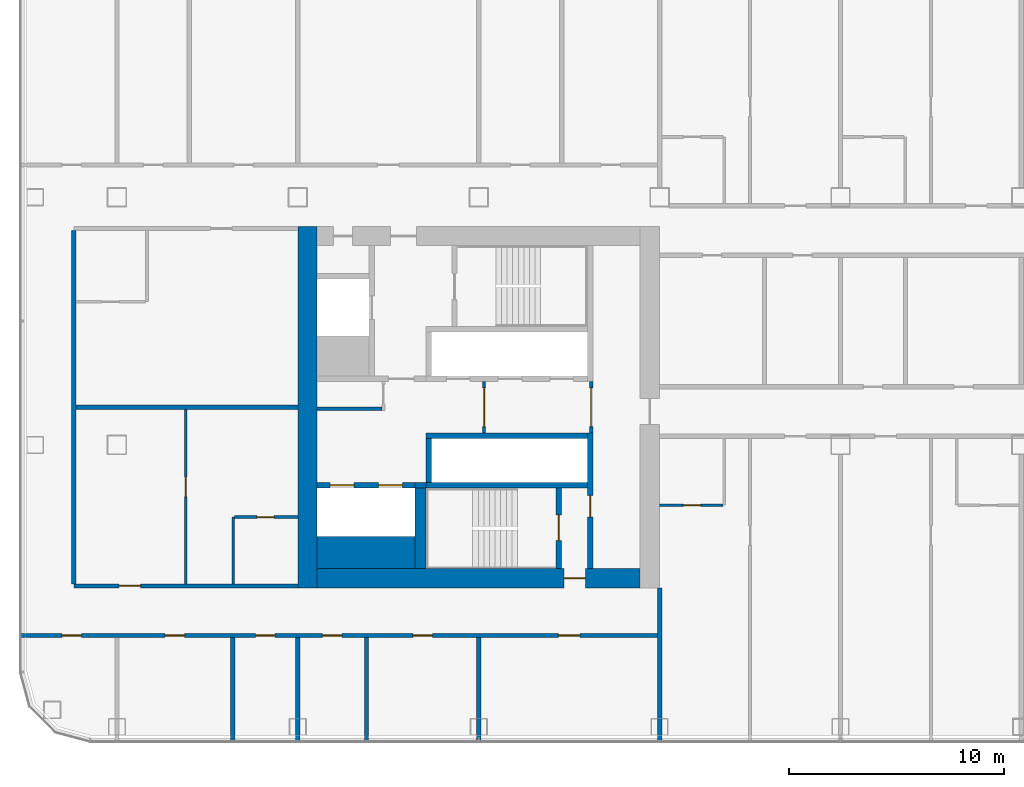
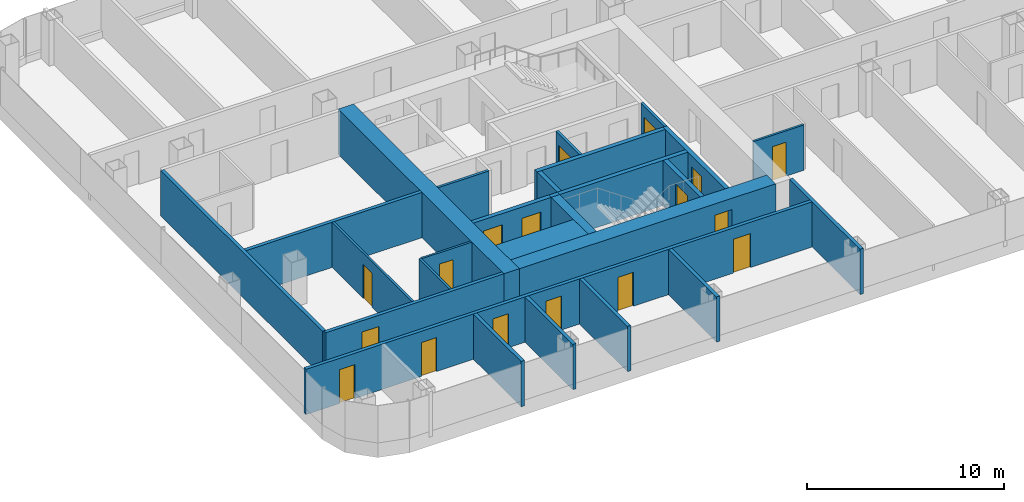
# One storey, part 15 of 29: 27 walls, 17 doors, 17 openings.
"""IFC4 building model written with IfcOpenShell, lengths in metres."""

import ifcopenshell
import ifcopenshell.guid

model = None  # the IFC model being written
_history = None  # IfcOwnerHistory: only IFC2X3 demands one
_inside = {}  # id of a spatial element -> (the spatial element, [elements in it])
_under = {}  # id of a project, library or spatial element -> (it, [spatial elements below it])
_declared = {}  # id of a project -> (the project, [libraries it declares])
_typed = {}  # id of a type object -> (the type object, [elements of that type])
_made_of = {}  # id of a material, layer set ... -> (it, [elements and type objects made of it])


def new_model(schema):
    """Start an empty IFC model of exactly this schema.

    Asked for "IFC4X3", IfcOpenShell would pick the latest addendum, in which some entities
    have other attributes; the version numbers below select the first issue.
    IFC2X3 requires an IfcOwnerHistory on every rooted entity: one is made here for all.
    """
    global model, _history
    if schema == "IFC4X3":
        model = ifcopenshell.file(schema_version=(4, 3, 0, 0))
    else:
        model = ifcopenshell.file(schema=schema)
    _inside.clear()
    _under.clear()
    _declared.clear()
    _typed.clear()
    _made_of.clear()
    _history = None
    if model.schema == "IFC2X3":
        org = make("IfcOrganization", Name="unknown")
        user = make(
            "IfcPersonAndOrganization",
            ThePerson=make("IfcPerson", FamilyName="unknown"),
            TheOrganization=org,
        )
        app = make(
            "IfcApplication",
            ApplicationDeveloper=org,
            Version="unknown",
            ApplicationFullName="unknown",
            ApplicationIdentifier="unknown",
        )
        _history = make(
            "IfcOwnerHistory",
            OwningUser=user,
            OwningApplication=app,
            ChangeAction="ADDED",
            CreationDate=0,
        )
    return model


def make(cls, **values):
    """One entity of the class cls with the attributes given. An attribute that is None is left unset."""
    return model.create_entity(
        cls, **{name: value for name, value in values.items() if value is not None}
    )


def rooted(cls, **values):
    """An entity with a GlobalId (a new one), such as an element, a storey or a relation."""
    return make(cls, GlobalId=ifcopenshell.guid.new(), OwnerHistory=_history, **values)


def si_unit(unit_type, name, prefix=None):
    """IfcSIUnit, for example si_unit("LENGTHUNIT", "METRE", prefix="MILLI")."""
    return make("IfcSIUnit", UnitType=unit_type, Prefix=prefix, Name=name)


def assignment(units):
    """IfcUnitAssignment: the units of a project."""
    return None if units is None else make("IfcUnitAssignment", Units=units)


def point(xyz):
    """IfcCartesianPoint."""
    return None if xyz is None else make("IfcCartesianPoint", Coordinates=xyz)


def direction(xyz):
    """IfcDirection."""
    return None if xyz is None else make("IfcDirection", DirectionRatios=xyz)


def frame(location, z_axis=None, x_axis=None):
    """IfcAxis2Placement3D, a coordinate frame: its origin and axes. An axis left out is left unset."""
    return make(
        "IfcAxis2Placement3D",
        Location=point(location),
        Axis=direction(z_axis),
        RefDirection=direction(x_axis),
    )


def frame_2d(location, x_axis=None):
    """IfcAxis2Placement2D, a coordinate frame in the plane: its origin and x axis."""
    return make(
        "IfcAxis2Placement2D", Location=point(location), RefDirection=direction(x_axis)
    )


def origin():
    """The frame at (0, 0, 0) with its axes left unset."""
    return frame((0.0, 0.0, 0.0))


def place(relative_to, where):
    """IfcLocalPlacement: puts the frame where relative to a parent placement (None: the world)."""
    return make(
        "IfcLocalPlacement", PlacementRelTo=relative_to, RelativePlacement=where
    )


def context(
    kind, dimensions, precision=None, world=None, true_north=None, identifier=None
):
    """IfcGeometricRepresentationContext, for example the 3D "Model" context."""
    return make(
        "IfcGeometricRepresentationContext",
        ContextIdentifier=identifier,
        ContextType=kind,
        CoordinateSpaceDimension=dimensions,
        Precision=precision,
        WorldCoordinateSystem=world,
        TrueNorth=true_north,
    )


def subcontext(parent, identifier, kind, view, scale=None):
    """IfcGeometricRepresentationSubContext, for example "Body" below "Model"."""
    return make(
        "IfcGeometricRepresentationSubContext",
        ContextIdentifier=identifier,
        ContextType=kind,
        ParentContext=parent,
        TargetScale=scale,
        TargetView=view,
    )


def project(units=None, contexts=None):
    """IfcProject with its units and contexts."""
    return rooted(
        "IfcProject",
        Name="project",
        RepresentationContexts=contexts,
        UnitsInContext=assignment(units),
    )


def spatial(cls, under=None, at=None, **own):
    """A site, building, storey or space (cls), placed at a placement, below another one or the project."""
    s = rooted(cls, ObjectPlacement=at, **own)
    if under is not None:
        _under.setdefault(under.id(), (under, []))[1].append(s)
    return s


def profile(cls, at=None, kind="AREA", **sizes):
    """A parametric profile (cls). Its sizes go by their IFC names, for example OverallWidth=200.0."""
    return make(cls, ProfileType=kind, Position=at, **sizes)


def rectangle(**sizes):
    """IfcRectangleProfileDef."""
    return profile("IfcRectangleProfileDef", **sizes)


def extrude(swept, where, along, depth):
    """IfcExtrudedAreaSolid: the profile swept, set in the frame where, extruded along a direction by depth."""
    return make(
        "IfcExtrudedAreaSolid",
        SweptArea=swept,
        Position=where,
        ExtrudedDirection=direction(along),
        Depth=depth,
    )


def shape(context_of_items, identifier, shape_type, items):
    """IfcShapeRepresentation: the items that make up one representation, for example the "Body"."""
    return make(
        "IfcShapeRepresentation",
        ContextOfItems=context_of_items,
        RepresentationIdentifier=identifier,
        RepresentationType=shape_type,
        Items=items,
    )


def material(Name=None, Category=None):
    """IfcMaterial."""
    return make("IfcMaterial", Name=Name, Category=Category)


def layer(
    of_material, thickness, ventilated=None, Name=None, Category=None, Priority=None
):
    """IfcMaterialLayer: one layer of a wall or slab, of a material (None: an air gap)."""
    return make(
        "IfcMaterialLayer",
        Material=of_material,
        LayerThickness=thickness,
        IsVentilated=ventilated,
        Name=Name,
        Category=Category,
        Priority=Priority,
    )


def layer_set(layers, Name=None):
    """IfcMaterialLayerSet."""
    return make("IfcMaterialLayerSet", MaterialLayers=layers, LayerSetName=Name)


def made_of(thing, what):
    """Note that an element or type object is made of a material, layer set ...; save() writes the relation."""
    if what is not None:
        _made_of.setdefault(what.id(), (what, []))[1].append(thing)
    return thing


def type_object(cls, material=None, **own):
    """A type object (cls), such as IfcWallType, which elements share."""
    return made_of(rooted(cls, **own), material)


def element(
    cls,
    number,
    at=None,
    inside=None,
    cuts=None,
    type_object=None,
    material=None,
    context=None,
    identifier="Body",
    shape_type=None,
    held_by="IfcProductDefinitionShape",
    body=None,
    shapes=None,
    **own,
):
    """One element of the class cls, such as IfcWall. Its Tag is "e" and its number.

    at: its placement. inside: the storey or other place that contains it. cuts: it is an
    opening in that element (IfcRelVoidsElement). A single representation is given by context,
    identifier, shape_type and body (its items); several are given by shapes. held_by: the class
    of the entity that holds the representations. save() writes the other relations.
    """
    e = rooted(cls, Tag="e%d" % number, ObjectPlacement=at, **own)
    if body is not None:
        shapes = [shape(context, identifier, shape_type, body)]
    if shapes is not None:
        e.Representation = make(held_by, Representations=shapes)
    if inside is not None:
        _inside.setdefault(inside.id(), (inside, []))[1].append(e)
    if cuts is not None:
        rooted(
            "IfcRelVoidsElement", RelatingBuildingElement=cuts, RelatedOpeningElement=e
        )
    if type_object is not None:
        _typed.setdefault(type_object.id(), (type_object, []))[1].append(e)
    return made_of(e, material)


def fill(opening, filler):
    """IfcRelFillsElement: the door or window that sits in an opening."""
    return rooted(
        "IfcRelFillsElement",
        RelatingOpeningElement=opening,
        RelatedBuildingElement=filler,
    )


def aggregate(whole, parts):
    """IfcRelAggregates: a whole, such as a stair, and the parts it consists of."""
    return rooted("IfcRelAggregates", RelatingObject=whole, RelatedObjects=parts)


def save(model, path):
    """Write the relations noted so far, then the file.

    IfcRelAggregates (storeys below a building ...), IfcRelContainedInSpatialStructure (elements
    in a storey), IfcRelDefinesByType, IfcRelAssociatesMaterial and IfcRelDeclares: one each for
    every whole, place, type object, material and project.
    """
    for whole, parts in _under.values():
        aggregate(whole, parts)
    for where, things in _inside.values():
        rooted(
            "IfcRelContainedInSpatialStructure",
            RelatedElements=things,
            RelatingStructure=where,
        )
    for kind, things in _typed.values():
        rooted("IfcRelDefinesByType", RelatedObjects=things, RelatingType=kind)
    for what, things in _made_of.values():
        rooted("IfcRelAssociatesMaterial", RelatedObjects=things, RelatingMaterial=what)
    for by, libraries in _declared.values():
        rooted("IfcRelDeclares", RelatingContext=by, RelatedDefinitions=libraries)
    model.write(path)


model = new_model("IFC4")

# Units and contexts
model_context = context("Model", 3, precision=1e-05, world=origin(), true_north=direction((0.0, 1.0)))
body_context = subcontext(model_context, "Body", "Model", "MODEL_VIEW")
ifc_project = project(units=[si_unit("LENGTHUNIT", "METRE"), si_unit("AREAUNIT", "SQUARE_METRE"), si_unit("VOLUMEUNIT", "CUBIC_METRE"), si_unit("PLANEANGLEUNIT", "RADIAN"), si_unit("MASSUNIT", "GRAM", prefix="KILO")], contexts=[model_context])

# Site, building, storey
site_placement = place(None, origin())
site = spatial("IfcSite", under=ifc_project, at=site_placement, CompositionType="ELEMENT")
building_placement = place(site_placement, origin())
building = spatial("IfcBuilding", under=site, at=building_placement, Name="Hakoniwa Tower and Hamabe Station Hall", CompositionType="ELEMENT")
storey_placement = place(building_placement, frame((0.0, 0.0, 104.199951171875)))
storey = spatial("IfcBuildingStorey", under=building, at=storey_placement, Name="L29", CompositionType="ELEMENT", Elevation=104.199951171875)

# Wall, opening, door
ifc_material_1 = material(Name="Gypsum board partition", Category="gypsum")
ifc_layer_1 = layer(ifc_material_1, 0.125)
ifc_layer_set_1 = layer_set([ifc_layer_1], Name="Bathroom Partition 125")
wall_type_1 = type_object("IfcWallType", Name="Bathroom Partition 125", PredefinedType="PARTITIONING", material=ifc_layer_set_1)
wall_1_placement = place(storey_placement, frame((-36.53759765625, -5.10009765625, 0.0), z_axis=(0.0, 0.0, 1.0), x_axis=(1.0, 0.0, 0.0)))
wall_1 = element("IfcWall", 1, at=wall_1_placement, inside=storey, type_object=wall_type_1, Name="GW-L29-005", PredefinedType="PARTITIONING", context=body_context, shape_type="SweptSolid", body=[
    extrude(rectangle(XDim=2.9375, YDim=0.125, at=frame_2d((1.46875, 0.0))), origin(), (0.0, 0.0, 1.0), 2.800048828125),
])
opening_1_placement = place(wall_1_placement, frame((1.03759765625, 0.0, 0.0)))
opening_1 = element("IfcOpeningElement", 2, at=opening_1_placement, cuts=wall_1, Name="Opening GD-G2E1-14", PredefinedType="OPENING", context=body_context, shape_type="SweptSolid", body=[
    extrude(rectangle(XDim=0.800048828125, YDim=2.10009765625, at=frame_2d((0.39990234375, 1.050048828125))), frame((0.0, 0.072509765625, 0.0), z_axis=(0.0, -1.0, 0.0), x_axis=(1.0, 0.0, 0.0)), (0.0, 0.0, 1.0), 0.14501953125),
])
ifc_material_2 = material(Name="Timber door leaf", Category="wood")
door_type_1 = type_object("IfcDoorType", Name="Bathroom Door 800", OperationType="SINGLE_SWING_LEFT", PredefinedType="DOOR", material=ifc_material_2)
door_1_placement = place(opening_1_placement, origin())
door_1 = element("IfcDoor", 3, at=door_1_placement, inside=storey, type_object=door_type_1, Name="Door GD-G2E1-14", OperationType="SINGLE_SWING_LEFT", OverallHeight=2.10009765625, OverallWidth=0.800048828125, PredefinedType="DOOR", context=body_context, shape_type="SweptSolid", body=[
    extrude(rectangle(XDim=0.800048828125, YDim=2.10009765625, at=frame_2d((0.39990234375, 1.050048828125))), frame((0.0, 0.02490234375, 0.0), z_axis=(0.0, -1.0, 0.0), x_axis=(1.0, 0.0, 0.0)), (0.0, 0.0, 1.0), 0.050048828125),
])
fill(opening_1, door_1)

wall_2_placement = place(storey_placement, frame((-16.81005859375, -4.550048828125, 0.0), z_axis=(0.0, 0.0, 1.0), x_axis=(1.0, 0.0, 0.0)))
wall_2 = element("IfcWall", 4, at=wall_2_placement, inside=storey, type_object=wall_type_1, Name="GW-L29-007", PredefinedType="PARTITIONING", context=body_context, shape_type="SweptSolid", body=[
    extrude(rectangle(XDim=2.947509765625, YDim=0.125, at=frame_2d((1.4736328125, 0.0))), origin(), (0.0, 0.0, 1.0), 2.800048828125),
])
opening_2_placement = place(wall_2_placement, frame((1.110107421875, 0.0, 0.0)))
opening_2 = element("IfcOpeningElement", 5, at=opening_2_placement, cuts=wall_2, Name="Opening GD-G2E1-16", PredefinedType="OPENING", context=body_context, shape_type="SweptSolid", body=[
    extrude(rectangle(XDim=0.800048828125, YDim=2.10009765625, at=frame_2d((0.39990234375, 1.050048828125))), frame((0.0, 0.072509765625, 0.0), z_axis=(0.0, -1.0, 0.0), x_axis=(1.0, 0.0, 0.0)), (0.0, 0.0, 1.0), 0.14501953125),
])
door_2_placement = place(opening_2_placement, origin())
door_2 = element("IfcDoor", 6, at=door_2_placement, inside=storey, type_object=door_type_1, Name="Door GD-G2E1-16", OperationType="SINGLE_SWING_LEFT", OverallHeight=2.10009765625, OverallWidth=0.800048828125, PredefinedType="DOOR", context=body_context, shape_type="SweptSolid", body=[
    extrude(rectangle(XDim=0.800048828125, YDim=2.10009765625, at=frame_2d((0.39990234375, 1.050048828125))), frame((0.0, 0.02490234375, 0.0), z_axis=(0.0, -1.0, 0.0), x_axis=(1.0, 0.0, 0.0)), (0.0, 0.0, 1.0), 0.050048828125),
])
fill(opening_2, door_2)

# Wall
wall_3_placement = place(storey_placement, frame((-36.60009765625, -8.199951171875, 0.0), z_axis=(0.0, 0.0, 1.0), x_axis=(0.0, 1.0, 0.0)))
element("IfcWall", 7, at=wall_3_placement, inside=storey, type_object=wall_type_1, Name="GW-L29-036", PredefinedType="PARTITIONING", context=body_context, shape_type="SweptSolid", body=[
    extrude(rectangle(XDim=3.099853515625, YDim=0.125, at=frame_2d((1.5498046875, 0.0))), origin(), (0.0, 0.0, 1.0), 2.800048828125),
])

# Wall, opening, door
ifc_material_3 = material(Name="Gypsum board partition")
ifc_layer_2 = layer(ifc_material_3, 0.14990234375)
ifc_layer_set_2 = layer_set([ifc_layer_2], Name="CORE PARTITION 150 EI 60")
wall_type_2 = type_object("IfcWallType", Name="CORE PARTITION 150 EI 60", PredefinedType="PARTITIONING", material=ifc_layer_set_2)
wall_4_placement = place(storey_placement, frame((-19.97509765625, -1.199951171875, 0.0), z_axis=(0.0, 0.0, 1.0), x_axis=(0.0, 1.0, 0.0)))
wall_4 = element("IfcWall", 8, at=wall_4_placement, inside=storey, type_object=wall_type_2, Name="Core partition PL0 west", PredefinedType="PARTITIONING", context=body_context, shape_type="SweptSolid", body=[
    extrude(rectangle(XDim=2.39990234375, YDim=0.14990234375, at=frame_2d((1.199951171875, 0.0))), origin(), (0.0, 0.0, 1.0), 2.800048828125),
])
opening_3_placement = place(wall_4_placement, frame((0.300048828125, 0.0, 0.0)))
opening_3 = element("IfcOpeningElement", 9, at=opening_3_placement, cuts=wall_4, Name="Opening CD-W-LP0-18", PredefinedType="OPENING", context=body_context, shape_type="SweptSolid", body=[
    extrude(rectangle(XDim=1.800048828125, YDim=2.10009765625, at=frame_2d((0.89990234375, 1.050048828125))), frame((0.0, 0.0849609375, 0.0), z_axis=(0.0, -1.0, 0.0), x_axis=(1.0, 0.0, 0.0)), (0.0, 0.0, 1.0), 0.169921875),
])
ifc_material_4 = material(Name="Steel fire door", Category="steel")
door_type_2 = type_object("IfcDoorType", Name="CORE DOOR 1800 FD60", OperationType="DOUBLE_DOOR_SINGLE_SWING", PredefinedType="DOOR", material=ifc_material_4)
door_3_placement = place(opening_3_placement, origin())
door_3 = element("IfcDoor", 10, at=door_3_placement, inside=storey, type_object=door_type_2, Name="Lift lobby partition door", OperationType="DOUBLE_DOOR_SINGLE_SWING", OverallHeight=2.10009765625, OverallWidth=1.800048828125, PredefinedType="DOOR", context=body_context, shape_type="SweptSolid", body=[
    extrude(rectangle(XDim=1.800048828125, YDim=2.10009765625, at=frame_2d((0.89990234375, 1.050048828125))), frame((0.0, 0.02490234375, 0.0), z_axis=(0.0, -1.0, 0.0), x_axis=(1.0, 0.0, 0.0)), (0.0, 0.0, 1.0), 0.050048828125),
])
fill(opening_3, door_3)

wall_5_placement = place(storey_placement, frame((-24.949951171875, -1.199951171875, 0.0), z_axis=(0.0, 0.0, 1.0), x_axis=(0.0, 1.0, 0.0)))
wall_5 = element("IfcWall", 11, at=wall_5_placement, inside=storey, type_object=wall_type_2, Name="Core partition PL1 west", PredefinedType="PARTITIONING", context=body_context, shape_type="SweptSolid", body=[
    extrude(rectangle(XDim=2.39990234375, YDim=0.14990234375, at=frame_2d((1.199951171875, 0.0))), origin(), (0.0, 0.0, 1.0), 2.800048828125),
])
opening_4_placement = place(wall_5_placement, frame((0.300048828125, 0.0, 0.0)))
opening_4 = element("IfcOpeningElement", 12, at=opening_4_placement, cuts=wall_5, Name="Opening CD-W-LP1-18", PredefinedType="OPENING", context=body_context, shape_type="SweptSolid", body=[
    extrude(rectangle(XDim=1.800048828125, YDim=2.10009765625, at=frame_2d((0.89990234375, 1.050048828125))), frame((0.0, 0.0849609375, 0.0), z_axis=(0.0, -1.0, 0.0), x_axis=(1.0, 0.0, 0.0)), (0.0, 0.0, 1.0), 0.169921875),
])
door_4_placement = place(opening_4_placement, origin())
door_4 = element("IfcDoor", 13, at=door_4_placement, inside=storey, type_object=door_type_2, Name="Lift lobby partition door", OperationType="DOUBLE_DOOR_SINGLE_SWING", OverallHeight=2.10009765625, OverallWidth=1.800048828125, PredefinedType="DOOR", context=body_context, shape_type="SweptSolid", body=[
    extrude(rectangle(XDim=1.800048828125, YDim=2.10009765625, at=frame_2d((0.89990234375, 1.050048828125))), frame((0.0, 0.02490234375, 0.0), z_axis=(0.0, -1.0, 0.0), x_axis=(1.0, 0.0, 0.0)), (0.0, 0.0, 1.0), 0.050048828125),
])
fill(opening_4, door_4)

# Walls
wall_6_placement = place(storey_placement, frame((-32.699951171875, -0.074951171875, 0.0), z_axis=(0.0, 0.0, 1.0), x_axis=(1.0, 0.0, 0.0)))
element("IfcWall", 14, at=wall_6_placement, inside=storey, type_object=wall_type_2, Name="Core partition PS west", PredefinedType="PARTITIONING", context=body_context, shape_type="SweptSolid", body=[
    extrude(rectangle(XDim=3.0, YDim=0.14990234375, at=frame_2d((1.5, 0.0))), origin(), (0.0, 0.0, 1.0), 2.800048828125),
])
ifc_material_5 = material(Name="Concrete C72", Category="concrete")
ifc_layer_3 = layer(ifc_material_5, 0.89990234375)
ifc_layer_set_3 = layer_set([ifc_layer_3], Name="CORE WALL 900 C72")
wall_type_3 = type_object("IfcWallType", Name="CORE WALL 900 C72", PredefinedType="SHEAR", material=ifc_layer_set_3)
wall_7_placement = place(storey_placement, frame((-33.14990234375, -8.39990234375, 0.0), z_axis=(0.0, 0.0, 1.0), x_axis=(0.0, 1.0, 0.0)))
element("IfcWall", 15, at=wall_7_placement, inside=storey, type_object=wall_type_3, Name="Core wall OUTER west", PredefinedType="SHEAR", context=body_context, shape_type="SweptSolid", body=[
    extrude(rectangle(XDim=16.7998046875, YDim=0.89990234375, at=frame_2d((8.39990234375, 0.0))), origin(), (0.0, 0.0, 1.0), 2.800048828125),
])

# Wall, opening, door
wall_8_placement = place(storey_placement, frame((-32.699951171875, -7.949951171875, 0.0), z_axis=(0.0, 0.0, 1.0), x_axis=(1.0, 0.0, 0.0)))
wall_8 = element("IfcWall", 16, at=wall_8_placement, inside=storey, type_object=wall_type_3, Name="Core wall SOUTH west", PredefinedType="SHEAR", context=body_context, shape_type="SweptSolid", body=[
    extrude(rectangle(XDim=15.0, YDim=0.89990234375, at=frame_2d((7.5, 0.0))), origin(), (0.0, 0.0, 1.0), 2.800048828125),
])
opening_5_placement = place(wall_8_placement, frame((11.449951171875, 0.0, 0.0)))
opening_5 = element("IfcOpeningElement", 17, at=opening_5_placement, cuts=wall_8, Name="Opening CD-W-FS3-10", PredefinedType="OPENING", context=body_context, shape_type="SweptSolid", body=[
    extrude(rectangle(XDim=1.0, YDim=2.10009765625, at=frame_2d((0.5, 1.050048828125))), frame((0.0, 0.4599609375, 0.0), z_axis=(0.0, -1.0, 0.0), x_axis=(1.0, 0.0, 0.0)), (0.0, 0.0, 1.0), 0.919921875),
])
ifc_material_6 = material(Name="Steel fire door", Category="steel")
door_type_3 = type_object("IfcDoorType", Name="CORE DOOR 1000 FD60", OperationType="NOTDEFINED", PredefinedType="DOOR", material=ifc_material_6)
door_5_placement = place(opening_5_placement, origin())
door_5 = element("IfcDoor", 18, at=door_5_placement, inside=storey, type_object=door_type_3, Name="Stair vestibule door", OperationType="SINGLE_SWING_LEFT", OverallHeight=2.10009765625, OverallWidth=1.0, PredefinedType="DOOR", context=body_context, shape_type="SweptSolid", body=[
    extrude(rectangle(XDim=1.0, YDim=2.10009765625, at=frame_2d((0.5, 1.050048828125))), frame((0.0, 0.02490234375, 0.0), z_axis=(0.0, -1.0, 0.0), x_axis=(1.0, 0.0, 0.0)), (0.0, 0.0, 1.0), 0.050048828125),
])
fill(opening_5, door_5)

# Wall
ifc_material_7 = material(Name="Concrete C72", Category="concrete")
ifc_layer_4 = layer(ifc_material_7, 1.5)
ifc_layer_set_4 = layer_set([ifc_layer_4], Name="CORE WEB WALL 1500 C72")
wall_type_4 = type_object("IfcWallType", Name="CORE WEB WALL 1500 C72", PredefinedType="SHEAR", material=ifc_layer_set_4)
wall_9_placement = place(storey_placement, frame((-32.699951171875, -6.75, 0.0), z_axis=(0.0, 0.0, 1.0), x_axis=(1.0, 0.0, 0.0)))
element("IfcWall", 19, at=wall_9_placement, inside=storey, type_object=wall_type_4, Name="Core wall SER west", PredefinedType="SHEAR", context=body_context, shape_type="SweptSolid", body=[
    extrude(rectangle(XDim=4.550048828125, YDim=1.5, at=frame_2d((2.27490234375, 0.0))), origin(), (0.0, 0.0, 1.0), 2.800048828125),
])

# Wall, opening, door
ifc_material_8 = material(Name="Concrete C72", Category="concrete")
ifc_layer_5 = layer(ifc_material_8, 0.25)
ifc_layer_set_5 = layer_set([ifc_layer_5], Name="CORE WEB WALL 250 C72")
wall_type_5 = type_object("IfcWallType", Name="CORE WEB WALL 250 C72", PredefinedType="SHEAR", material=ifc_layer_set_5)
wall_10_placement = place(storey_placement, frame((-20.02490234375, -7.5, 0.0), z_axis=(0.0, 0.0, 1.0), x_axis=(0.0, 1.0, 0.0)))
wall_10 = element("IfcWall", 20, at=wall_10_placement, inside=storey, type_object=wall_type_5, Name="Core wall W1S west", PredefinedType="SHEAR", context=body_context, shape_type="SweptSolid", body=[
    extrude(rectangle(XDim=6.300048828125, YDim=0.25, at=frame_2d((3.14990234375, 0.0))), origin(), (0.0, 0.0, 1.0), 2.800048828125),
])
opening_6_placement = place(wall_10_placement, frame((2.39990234375, 0.0, 0.0)))
opening_6 = element("IfcOpeningElement", 21, at=opening_6_placement, cuts=wall_10, Name="Opening CD-W-VS-10", PredefinedType="OPENING", context=body_context, shape_type="SweptSolid", body=[
    extrude(rectangle(XDim=1.0, YDim=2.10009765625, at=frame_2d((0.5, 1.050048828125))), frame((0.0, 0.135009765625, 0.0), z_axis=(0.0, -1.0, 0.0), x_axis=(1.0, 0.0, 0.0)), (0.0, 0.0, 1.0), 0.27001953125),
])
door_6_placement = place(opening_6_placement, origin())
door_6 = element("IfcDoor", 22, at=door_6_placement, inside=storey, type_object=door_type_3, Name="Stair vestibule door", OperationType="SINGLE_SWING_LEFT", OverallHeight=2.10009765625, OverallWidth=1.0, PredefinedType="DOOR", context=body_context, shape_type="SweptSolid", body=[
    extrude(rectangle(XDim=1.0, YDim=2.10009765625, at=frame_2d((0.5, 1.050048828125))), frame((0.0, 0.02490234375, 0.0), z_axis=(0.0, -1.0, 0.0), x_axis=(1.0, 0.0, 0.0)), (0.0, 0.0, 1.0), 0.050048828125),
])
fill(opening_6, door_6)

# Walls
wall_11_placement = place(storey_placement, frame((-27.64990234375, -1.324951171875, 0.0), z_axis=(0.0, 0.0, 1.0), x_axis=(1.0, 0.0, 0.0)))
element("IfcWall", 23, at=wall_11_placement, inside=storey, type_object=wall_type_5, Name="Core wall SF west", PredefinedType="SHEAR", context=body_context, shape_type="SweptSolid", body=[
    extrude(rectangle(XDim=7.5, YDim=0.25, at=frame_2d((3.75, 0.0))), origin(), (0.0, 0.0, 1.0), 2.800048828125),
])
wall_12_placement = place(storey_placement, frame((-27.52490234375, -3.5, 0.0), z_axis=(0.0, 0.0, 1.0), x_axis=(0.0, 1.0, 0.0)))
element("IfcWall", 24, at=wall_12_placement, inside=storey, type_object=wall_type_5, Name="Core wall SE west", PredefinedType="SHEAR", context=body_context, shape_type="SweptSolid", body=[
    extrude(rectangle(XDim=2.050048828125, YDim=0.25, at=frame_2d((1.02490234375, 0.0))), origin(), (0.0, 0.0, 1.0), 2.800048828125),
])
wall_13_placement = place(storey_placement, frame((-27.64990234375, -3.625, 0.0), z_axis=(0.0, 0.0, 1.0), x_axis=(1.0, 0.0, 0.0)))
element("IfcWall", 25, at=wall_13_placement, inside=storey, type_object=wall_type_5, Name="Core wall SR west", PredefinedType="SHEAR", context=body_context, shape_type="SweptSolid", body=[
    extrude(rectangle(XDim=7.5, YDim=0.25, at=frame_2d((3.75, 0.0))), origin(), (0.0, 0.0, 1.0), 2.800048828125),
])

# Wall, opening, door
wall_14_placement = place(storey_placement, frame((-21.47509765625, -7.5, 0.0), z_axis=(0.0, 0.0, 1.0), x_axis=(0.0, 1.0, 0.0)))
wall_14 = element("IfcWall", 26, at=wall_14_placement, inside=storey, type_object=wall_type_5, Name="Core wall VE west", PredefinedType="SHEAR", context=body_context, shape_type="SweptSolid", body=[
    extrude(rectangle(XDim=3.75, YDim=0.25, at=frame_2d((1.875, 0.0))), origin(), (0.0, 0.0, 1.0), 2.800048828125),
])
opening_7_placement = place(wall_14_placement, frame((1.300048828125, 0.0, 0.0)))
opening_7 = element("IfcOpeningElement", 27, at=opening_7_placement, cuts=wall_14, Name="Opening CD-W-SS-12", PredefinedType="OPENING", context=body_context, shape_type="SweptSolid", body=[
    extrude(rectangle(XDim=1.199951171875, YDim=2.10009765625, at=frame_2d((0.60009765625, 1.050048828125))), frame((0.0, 0.135009765625, 0.0), z_axis=(0.0, -1.0, 0.0), x_axis=(1.0, 0.0, 0.0)), (0.0, 0.0, 1.0), 0.27001953125),
])
ifc_material_9 = material(Name="Steel fire door", Category="steel")
door_type_4 = type_object("IfcDoorType", Name="CORE DOOR 1200 FD60", OperationType="DOUBLE_DOOR_SINGLE_SWING", PredefinedType="DOOR", material=ifc_material_9)
door_7_placement = place(opening_7_placement, origin())
door_7 = element("IfcDoor", 28, at=door_7_placement, inside=storey, type_object=door_type_4, Name="Escape stair door", OperationType="DOUBLE_DOOR_SINGLE_SWING", OverallHeight=2.10009765625, OverallWidth=1.199951171875, PredefinedType="DOOR", context=body_context, shape_type="SweptSolid", body=[
    extrude(rectangle(XDim=1.199951171875, YDim=2.10009765625, at=frame_2d((0.60009765625, 1.050048828125))), frame((0.0, 0.02490234375, 0.0), z_axis=(0.0, -1.0, 0.0), x_axis=(1.0, 0.0, 0.0)), (0.0, 0.0, 1.0), 0.050048828125),
])
fill(opening_7, door_7)

# Wall, openings, doors
wall_15_placement = place(storey_placement, frame((-32.699951171875, -3.625, 0.0), z_axis=(0.0, 0.0, 1.0), x_axis=(1.0, 0.0, 0.0)))
wall_15 = element("IfcWall", 29, at=wall_15_placement, inside=storey, type_object=wall_type_5, Name="Core wall SEF west", PredefinedType="SHEAR", context=body_context, shape_type="SweptSolid", body=[
    extrude(rectangle(XDim=4.550048828125, YDim=0.25, at=frame_2d((2.27490234375, 0.0))), origin(), (0.0, 0.0, 1.0), 2.800048828125),
])
opening_8_placement = place(wall_15_placement, frame((2.85009765625, 0.0, 0.0)))
opening_8 = element("IfcOpeningElement", 30, at=opening_8_placement, cuts=wall_15, Name="Opening LD-SV1", PredefinedType="OPENING", context=body_context, shape_type="SweptSolid", body=[
    extrude(rectangle(XDim=1.10009765625, YDim=2.10009765625, at=frame_2d((0.550048828125, 1.050048828125))), frame((0.0, 0.135009765625, 0.0), z_axis=(0.0, -1.0, 0.0), x_axis=(1.0, 0.0, 0.0)), (0.0, 0.0, 1.0), 0.27001953125),
])
opening_9_placement = place(wall_15_placement, frame((0.60009765625, 0.0, 0.0)))
opening_9 = element("IfcOpeningElement", 31, at=opening_9_placement, cuts=wall_15, Name="Opening LD-SV2", PredefinedType="OPENING", context=body_context, shape_type="SweptSolid", body=[
    extrude(rectangle(XDim=1.10009765625, YDim=2.10009765625, at=frame_2d((0.550048828125, 1.050048828125))), frame((0.0, 0.135009765625, 0.0), z_axis=(0.0, -1.0, 0.0), x_axis=(1.0, 0.0, 0.0)), (0.0, 0.0, 1.0), 0.27001953125),
])
ifc_material_10 = material(Name="Stainless steel SUS304", Category="steel")
door_type_5 = type_object("IfcDoorType", Name="LIFT LANDING DOOR 1100 FD60", OperationType="DOUBLE_DOOR_SLIDING", PredefinedType="DOOR", material=ifc_material_10)
door_8_placement = place(opening_8_placement, origin())
door_8 = element("IfcDoor", 32, at=door_8_placement, inside=storey, type_object=door_type_5, Name="Lift landing door SV1 L29", OperationType="DOUBLE_DOOR_SLIDING", OverallHeight=2.10009765625, OverallWidth=1.10009765625, PredefinedType="DOOR", context=body_context, shape_type="SweptSolid", body=[
    extrude(rectangle(XDim=1.10009765625, YDim=2.10009765625, at=frame_2d((0.550048828125, 1.050048828125))), frame((0.0, 0.02490234375, 0.0), z_axis=(0.0, -1.0, 0.0), x_axis=(1.0, 0.0, 0.0)), (0.0, 0.0, 1.0), 0.050048828125),
])
fill(opening_8, door_8)
door_9_placement = place(opening_9_placement, origin())
door_9 = element("IfcDoor", 33, at=door_9_placement, inside=storey, type_object=door_type_5, Name="Lift landing door SV2 L29", OperationType="DOUBLE_DOOR_SLIDING", OverallHeight=2.10009765625, OverallWidth=1.10009765625, PredefinedType="DOOR", context=body_context, shape_type="SweptSolid", body=[
    extrude(rectangle(XDim=1.10009765625, YDim=2.10009765625, at=frame_2d((0.550048828125, 1.050048828125))), frame((0.0, 0.02490234375, 0.0), z_axis=(0.0, -1.0, 0.0), x_axis=(1.0, 0.0, 0.0)), (0.0, 0.0, 1.0), 0.050048828125),
])
fill(opening_9, door_9)

# Walls
wall_16_placement = place(storey_placement, frame((-28.14990234375, -3.625, 0.0), z_axis=(0.0, 0.0, 1.0), x_axis=(1.0, 0.0, 0.0)))
element("IfcWall", 34, at=wall_16_placement, inside=storey, type_object=wall_type_5, Name="Core wall SRK west", PredefinedType="SHEAR", context=body_context, shape_type="SweptSolid", body=[
    extrude(rectangle(XDim=0.5, YDim=0.25, at=frame_2d((0.25, 0.0))), origin(), (0.0, 0.0, 1.0), 2.800048828125),
])
ifc_material_11 = material(Name="Concrete C72", Category="concrete")
ifc_layer_6 = layer(ifc_material_11, 0.5)
ifc_layer_set_6 = layer_set([ifc_layer_6], Name="CORE WEB WALL 500 C72")
wall_type_6 = type_object("IfcWallType", Name="CORE WEB WALL 500 C72", PredefinedType="SHEAR", material=ifc_layer_set_6)
wall_17_placement = place(storey_placement, frame((-27.89990234375, -7.5, 0.0), z_axis=(0.0, 0.0, 1.0), x_axis=(0.0, 1.0, 0.0)))
element("IfcWall", 35, at=wall_17_placement, inside=storey, type_object=wall_type_6, Name="Core wall SSE west", PredefinedType="SHEAR", context=body_context, shape_type="SweptSolid", body=[
    extrude(rectangle(XDim=3.75, YDim=0.5, at=frame_2d((1.875, 0.0))), origin(), (0.0, 0.0, 1.0), 2.800048828125),
])

# Wall, openings, doors
ifc_material_12 = material(Name="Fire-rated gypsum board partition", Category="gypsum")
ifc_layer_7 = layer(ifc_material_12, 0.199951171875)
ifc_layer_set_7 = layer_set([ifc_layer_7], Name="Corridor Wall 200")
wall_type_7 = type_object("IfcWallType", Name="Corridor Wall 200", PredefinedType="PARTITIONING", material=ifc_layer_set_7)
wall_18_placement = place(storey_placement, frame((-46.5, -10.60009765625, 0.0), z_axis=(0.0, 0.0, 1.0), x_axis=(1.0, 0.0, 0.0)))
wall_18 = element("IfcWall", 36, at=wall_18_placement, inside=storey, type_object=wall_type_7, Name="GW-L29-001", PredefinedType="PARTITIONING", context=body_context, shape_type="SweptSolid", body=[
    extrude(rectangle(XDim=29.699951171875, YDim=0.199951171875, at=frame_2d((14.85009765625, 0.0))), origin(), (0.0, 0.0, 1.0), 2.800048828125),
])
opening_10_placement = place(wall_18_placement, frame((1.949951171875, 0.0, 0.0)))
opening_10 = element("IfcOpeningElement", 37, at=opening_10_placement, cuts=wall_18, Name="Opening GD-G2E1-01", PredefinedType="OPENING", context=body_context, shape_type="SweptSolid", body=[
    extrude(rectangle(XDim=0.89990234375, YDim=2.10009765625, at=frame_2d((0.449951171875, 1.050048828125))), frame((0.0, 0.10986328125, 0.0), z_axis=(0.0, -1.0, 0.0), x_axis=(1.0, 0.0, 0.0)), (0.0, 0.0, 1.0), 0.219970703125),
])
opening_11_placement = place(wall_18_placement, frame((6.739990234375, 0.0, 0.0)))
opening_11 = element("IfcOpeningElement", 38, at=opening_11_placement, cuts=wall_18, Name="Opening GD-G2E1-02", PredefinedType="OPENING", context=body_context, shape_type="SweptSolid", body=[
    extrude(rectangle(XDim=0.89990234375, YDim=2.10009765625, at=frame_2d((0.449951171875, 1.050048828125))), frame((0.0, 0.10986328125, 0.0), z_axis=(0.0, -1.0, 0.0), x_axis=(1.0, 0.0, 0.0)), (0.0, 0.0, 1.0), 0.219970703125),
])
opening_12_placement = place(wall_18_placement, frame((10.93994140625, 0.0, 0.0)))
opening_12 = element("IfcOpeningElement", 39, at=opening_12_placement, cuts=wall_18, Name="Opening GD-G2E1-03", PredefinedType="OPENING", context=body_context, shape_type="SweptSolid", body=[
    extrude(rectangle(XDim=0.89990234375, YDim=2.10009765625, at=frame_2d((0.449951171875, 1.050048828125))), frame((0.0, 0.10986328125, 0.0), z_axis=(0.0, -1.0, 0.0), x_axis=(1.0, 0.0, 0.0)), (0.0, 0.0, 1.0), 0.219970703125),
])
opening_13_placement = place(wall_18_placement, frame((14.044921875, 0.0, 0.0)))
opening_13 = element("IfcOpeningElement", 40, at=opening_13_placement, cuts=wall_18, Name="Opening GD-G2E1-04", PredefinedType="OPENING", context=body_context, shape_type="SweptSolid", body=[
    extrude(rectangle(XDim=0.89990234375, YDim=2.10009765625, at=frame_2d((0.449951171875, 1.050048828125))), frame((0.0, 0.10986328125, 0.0), z_axis=(0.0, -1.0, 0.0), x_axis=(1.0, 0.0, 0.0)), (0.0, 0.0, 1.0), 0.219970703125),
])
opening_14_placement = place(wall_18_placement, frame((18.2451171875, 0.0, 0.0)))
opening_14 = element("IfcOpeningElement", 41, at=opening_14_placement, cuts=wall_18, Name="Opening GD-G2E1-05", PredefinedType="OPENING", context=body_context, shape_type="SweptSolid", body=[
    extrude(rectangle(XDim=0.89990234375, YDim=2.10009765625, at=frame_2d((0.449951171875, 1.050048828125))), frame((0.0, 0.10986328125, 0.0), z_axis=(0.0, -1.0, 0.0), x_axis=(1.0, 0.0, 0.0)), (0.0, 0.0, 1.0), 0.219970703125),
])
opening_15_placement = place(wall_18_placement, frame((25.0, 0.0, 0.0)))
opening_15 = element("IfcOpeningElement", 42, at=opening_15_placement, cuts=wall_18, Name="Opening GD-G2E1-06", PredefinedType="OPENING", context=body_context, shape_type="SweptSolid", body=[
    extrude(rectangle(XDim=1.0, YDim=2.10009765625, at=frame_2d((0.5, 1.050048828125))), frame((0.0, 0.10986328125, 0.0), z_axis=(0.0, -1.0, 0.0), x_axis=(1.0, 0.0, 0.0)), (0.0, 0.0, 1.0), 0.219970703125),
])
ifc_material_13 = material(Name="Timber door leaf", Category="wood")
door_type_6 = type_object("IfcDoorType", Name="Guest Entrance Door 1000", OperationType="SINGLE_SWING_LEFT", PredefinedType="DOOR", material=ifc_material_13)
door_10_placement = place(opening_15_placement, origin())
door_10 = element("IfcDoor", 43, at=door_10_placement, inside=storey, type_object=door_type_6, Name="Door GD-G2E1-06", OperationType="SINGLE_SWING_RIGHT", OverallHeight=2.10009765625, OverallWidth=1.0, PredefinedType="DOOR", context=body_context, shape_type="SweptSolid", body=[
    extrude(rectangle(XDim=1.0, YDim=2.10009765625, at=frame_2d((0.5, 1.050048828125))), frame((0.0, 0.02490234375, 0.0), z_axis=(0.0, -1.0, 0.0), x_axis=(1.0, 0.0, 0.0)), (0.0, 0.0, 1.0), 0.050048828125),
])
fill(opening_15, door_10)
ifc_material_14 = material(Name="Timber door leaf", Category="wood")
door_type_7 = type_object("IfcDoorType", Name="Service Door 900", OperationType="SINGLE_SWING_LEFT", PredefinedType="DOOR", material=ifc_material_14)
door_11_placement = place(opening_10_placement, origin())
door_11 = element("IfcDoor", 44, at=door_11_placement, inside=storey, type_object=door_type_7, Name="Door GD-G2E1-01", OperationType="SINGLE_SWING_RIGHT", OverallHeight=2.10009765625, OverallWidth=0.89990234375, PredefinedType="DOOR", context=body_context, shape_type="SweptSolid", body=[
    extrude(rectangle(XDim=0.89990234375, YDim=2.10009765625, at=frame_2d((0.449951171875, 1.050048828125))), frame((0.0, 0.02490234375, 0.0), z_axis=(0.0, -1.0, 0.0), x_axis=(1.0, 0.0, 0.0)), (0.0, 0.0, 1.0), 0.050048828125),
])
fill(opening_10, door_11)
door_12_placement = place(opening_11_placement, origin())
door_12 = element("IfcDoor", 45, at=door_12_placement, inside=storey, type_object=door_type_7, Name="Door GD-G2E1-02", OperationType="SINGLE_SWING_RIGHT", OverallHeight=2.10009765625, OverallWidth=0.89990234375, PredefinedType="DOOR", context=body_context, shape_type="SweptSolid", body=[
    extrude(rectangle(XDim=0.89990234375, YDim=2.10009765625, at=frame_2d((0.449951171875, 1.050048828125))), frame((0.0, 0.02490234375, 0.0), z_axis=(0.0, -1.0, 0.0), x_axis=(1.0, 0.0, 0.0)), (0.0, 0.0, 1.0), 0.050048828125),
])
fill(opening_11, door_12)
door_13_placement = place(opening_12_placement, origin())
door_13 = element("IfcDoor", 46, at=door_13_placement, inside=storey, type_object=door_type_7, Name="Door GD-G2E1-03", OperationType="SINGLE_SWING_LEFT", OverallHeight=2.10009765625, OverallWidth=0.89990234375, PredefinedType="DOOR", context=body_context, shape_type="SweptSolid", body=[
    extrude(rectangle(XDim=0.89990234375, YDim=2.10009765625, at=frame_2d((0.449951171875, 1.050048828125))), frame((0.0, 0.02490234375, 0.0), z_axis=(0.0, -1.0, 0.0), x_axis=(1.0, 0.0, 0.0)), (0.0, 0.0, 1.0), 0.050048828125),
])
fill(opening_12, door_13)
door_14_placement = place(opening_13_placement, origin())
door_14 = element("IfcDoor", 47, at=door_14_placement, inside=storey, type_object=door_type_7, Name="Door GD-G2E1-04", OperationType="SINGLE_SWING_RIGHT", OverallHeight=2.10009765625, OverallWidth=0.89990234375, PredefinedType="DOOR", context=body_context, shape_type="SweptSolid", body=[
    extrude(rectangle(XDim=0.89990234375, YDim=2.10009765625, at=frame_2d((0.449951171875, 1.050048828125))), frame((0.0, 0.02490234375, 0.0), z_axis=(0.0, -1.0, 0.0), x_axis=(1.0, 0.0, 0.0)), (0.0, 0.0, 1.0), 0.050048828125),
])
fill(opening_13, door_14)
door_15_placement = place(opening_14_placement, origin())
door_15 = element("IfcDoor", 48, at=door_15_placement, inside=storey, type_object=door_type_7, Name="Door GD-G2E1-05", OperationType="SINGLE_SWING_LEFT", OverallHeight=2.10009765625, OverallWidth=0.89990234375, PredefinedType="DOOR", context=body_context, shape_type="SweptSolid", body=[
    extrude(rectangle(XDim=0.89990234375, YDim=2.10009765625, at=frame_2d((0.449951171875, 1.050048828125))), frame((0.0, 0.02490234375, 0.0), z_axis=(0.0, -1.0, 0.0), x_axis=(1.0, 0.0, 0.0)), (0.0, 0.0, 1.0), 0.050048828125),
])
fill(opening_14, door_15)

# Wall, opening, door
wall_19_placement = place(storey_placement, frame((-44.0, -8.300048828125, 0.0), z_axis=(0.0, 0.0, 1.0), x_axis=(1.0, 0.0, 0.0)))
wall_19 = element("IfcWall", 49, at=wall_19_placement, inside=storey, type_object=wall_type_7, Name="GW-L29-003", PredefinedType="PARTITIONING", context=body_context, shape_type="SweptSolid", body=[
    extrude(rectangle(XDim=10.39990234375, YDim=0.199951171875, at=frame_2d((5.199951171875, 0.0))), origin(), (0.0, 0.0, 1.0), 2.800048828125),
])
opening_16_placement = place(wall_19_placement, frame((2.10009765625, 0.0, 0.0)))
opening_16 = element("IfcOpeningElement", 50, at=opening_16_placement, cuts=wall_19, Name="Opening GD-G2E1-12", PredefinedType="OPENING", context=body_context, shape_type="SweptSolid", body=[
    extrude(rectangle(XDim=1.0, YDim=2.10009765625, at=frame_2d((0.5, 1.050048828125))), frame((0.0, 0.10986328125, 0.0), z_axis=(0.0, -1.0, 0.0), x_axis=(1.0, 0.0, 0.0)), (0.0, 0.0, 1.0), 0.219970703125),
])
door_16_placement = place(opening_16_placement, origin())
door_16 = element("IfcDoor", 51, at=door_16_placement, inside=storey, type_object=door_type_6, Name="Door GD-G2E1-12", OperationType="SINGLE_SWING_LEFT", OverallHeight=2.10009765625, OverallWidth=1.0, PredefinedType="DOOR", context=body_context, shape_type="SweptSolid", body=[
    extrude(rectangle(XDim=1.0, YDim=2.10009765625, at=frame_2d((0.5, 1.050048828125))), frame((0.0, 0.02490234375, 0.0), z_axis=(0.0, -1.0, 0.0), x_axis=(1.0, 0.0, 0.0)), (0.0, 0.0, 1.0), 0.050048828125),
])
fill(opening_16, door_16)

# Walls
ifc_material_15 = material(Name="Fire-rated gypsum board partition", Category="gypsum")
ifc_layer_8 = layer(ifc_material_15, 0.199951171875)
ifc_layer_set_8 = layer_set([ifc_layer_8], Name="Party Wall 200")
wall_type_8 = type_object("IfcWallType", Name="Party Wall 200", PredefinedType="PARTITIONING", material=ifc_layer_set_8)
wall_20_placement = place(storey_placement, frame((-43.89990234375, 0.0, 0.0), z_axis=(0.0, 0.0, 1.0), x_axis=(1.0, 0.0, 0.0)))
element("IfcWall", 52, at=wall_20_placement, inside=storey, type_object=wall_type_8, Name="GW-L29-012", PredefinedType="PARTITIONING", context=body_context, shape_type="SweptSolid", body=[
    extrude(rectangle(XDim=10.2998046875, YDim=0.199951171875, at=frame_2d((5.14990234375, 0.0))), origin(), (0.0, 0.0, 1.0), 2.800048828125),
])
wall_21_placement = place(storey_placement, frame((-44.0, -8.199951171875, 0.0), z_axis=(0.0, 0.0, 1.0), x_axis=(0.0, 1.0, 0.0)))
element("IfcWall", 53, at=wall_21_placement, inside=storey, type_object=wall_type_8, Name="GW-L29-029", PredefinedType="PARTITIONING", context=body_context, shape_type="SweptSolid", body=[
    extrude(rectangle(XDim=16.39990234375, YDim=0.199951171875, at=frame_2d((8.199951171875, 0.0))), origin(), (0.0, 0.0, 1.0), 2.800048828125),
])
for number, where, z_axis, x_axis, name in (
    (54, (-36.6201171875, -15.550048828125, 0.0), (0.0, 0.0, 1.0), (0.0, 1.0, 0.0), "GW-L29-035"),
    (55, (-33.60009765625, -15.550048828125, 0.0), (0.0, 0.0, 1.0), (0.0, 1.0, 0.0), "GW-L29-037"),
    (56, (-30.409912109375, -15.550048828125, 0.0), (0.0, 0.0, 1.0), (0.0, 1.0, 0.0), "GW-L29-039"),
    (57, (-25.199951171875, -15.550048828125, 0.0), (0.0, 0.0, 1.0), (0.0, 1.0, 0.0), "GW-L29-040"),
):
    element("IfcWall", number, at=place(storey_placement, frame(where, z_axis=z_axis, x_axis=x_axis)), inside=storey, type_object=wall_type_8, Name=name, PredefinedType="PARTITIONING", context=body_context, shape_type="SweptSolid", body=[
        extrude(rectangle(XDim=4.85009765625, YDim=0.199951171875, at=frame_2d((2.425048828125, 0.0))), origin(), (0.0, 0.0, 1.0), 2.800048828125),
    ])
wall_22_placement = place(storey_placement, frame((-16.800048828125, -15.550048828125, 0.0), z_axis=(0.0, 0.0, 1.0), x_axis=(0.0, 1.0, 0.0)))
element("IfcWall", 58, at=wall_22_placement, inside=storey, type_object=wall_type_8, Name="GW-L29-043", PredefinedType="PARTITIONING", context=body_context, shape_type="SweptSolid", body=[
    extrude(rectangle(XDim=7.16015625, YDim=0.199951171875, at=frame_2d((3.580078125, 0.0))), origin(), (0.0, 0.0, 1.0), 2.800048828125),
])

# Wall, opening, door
ifc_material_16 = material(Name="Gypsum board partition", Category="gypsum")
ifc_layer_9 = layer(ifc_material_16, 0.125)
ifc_layer_set_9 = layer_set([ifc_layer_9], Name="Room Partition 125")
wall_type_9 = type_object("IfcWallType", Name="Room Partition 125", PredefinedType="PARTITIONING", material=ifc_layer_set_9)
wall_23_placement = place(storey_placement, frame((-38.800048828125, -8.199951171875, 0.0), z_axis=(0.0, 0.0, 1.0), x_axis=(0.0, 1.0, 0.0)))
wall_23 = element("IfcWall", 59, at=wall_23_placement, inside=storey, type_object=wall_type_9, Name="GW-L29-033", PredefinedType="PARTITIONING", context=body_context, shape_type="SweptSolid", body=[
    extrude(rectangle(XDim=8.099853515625, YDim=0.125, at=frame_2d((4.0498046875, 0.0))), origin(), (0.0, 0.0, 1.0), 2.800048828125),
])
opening_17_placement = place(wall_23_placement, frame((4.050048828125, 0.0, 0.0)))
opening_17 = element("IfcOpeningElement", 60, at=opening_17_placement, cuts=wall_23, Name="Opening GD-G2E1-57", PredefinedType="OPENING", context=body_context, shape_type="SweptSolid", body=[
    extrude(rectangle(XDim=0.89990234375, YDim=2.10009765625, at=frame_2d((0.449951171875, 1.050048828125))), frame((0.0, 0.072509765625, 0.0), z_axis=(0.0, -1.0, 0.0), x_axis=(1.0, 0.0, 0.0)), (0.0, 0.0, 1.0), 0.14501953125),
])
ifc_material_17 = material(Name="Timber door leaf", Category="wood")
door_type_8 = type_object("IfcDoorType", Name="Suite Interior Door 900", OperationType="SINGLE_SWING_LEFT", PredefinedType="DOOR", material=ifc_material_17)
door_17_placement = place(opening_17_placement, origin())
door_17 = element("IfcDoor", 61, at=door_17_placement, inside=storey, type_object=door_type_8, Name="Door GD-G2E1-57", OperationType="SINGLE_SWING_RIGHT", OverallHeight=2.10009765625, OverallWidth=0.89990234375, PredefinedType="DOOR", context=body_context, shape_type="SweptSolid", body=[
    extrude(rectangle(XDim=0.89990234375, YDim=2.10009765625, at=frame_2d((0.449951171875, 1.050048828125))), frame((0.0, 0.02490234375, 0.0), z_axis=(0.0, -1.0, 0.0), x_axis=(1.0, 0.0, 0.0)), (0.0, 0.0, 1.0), 0.050048828125),
])
fill(opening_17, door_17)

save(model, "model.ifc")
